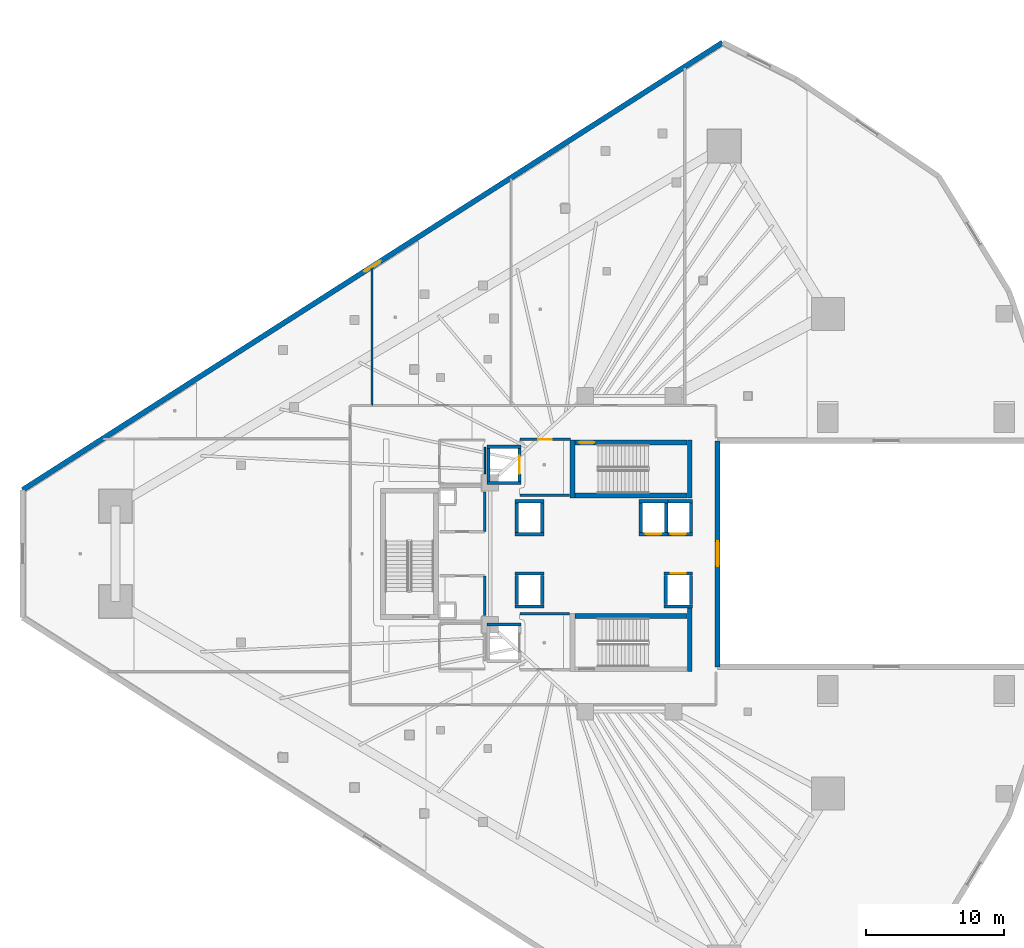
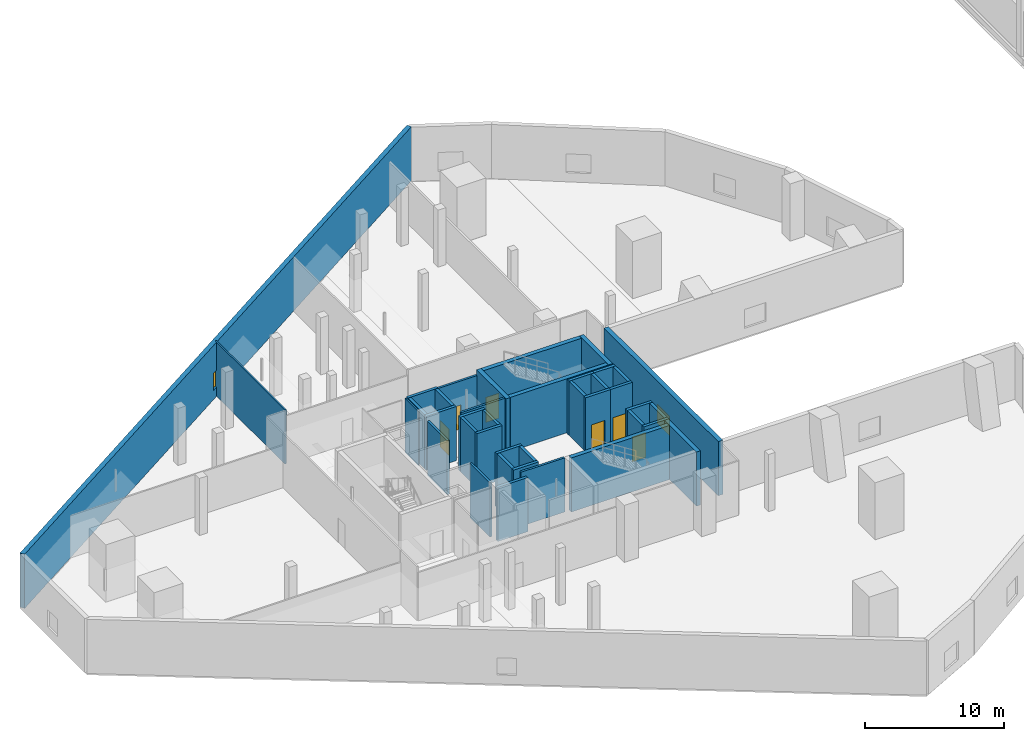
# One storey, part 28 of 46: 39 walls, 6 doors, 2 windows, 8 openings.
"""IFC4 building model written with IfcOpenShell, lengths in metres."""

from ifc_helpers import new_model, si_unit, direction, frame, frame_2d, origin, place, context, subcontext, project, spatial, rectangle, extrude, material, layer, layer_set, type_object, element, fill, save


model = new_model("IFC4")

# Units and contexts
model_context = context("Model", 3, precision=1e-05, world=origin(), true_north=direction((0.0, 1.0)))
body_context = subcontext(model_context, "Body", "Model", "MODEL_VIEW")
ifc_project = project(units=[si_unit("LENGTHUNIT", "METRE"), si_unit("AREAUNIT", "SQUARE_METRE"), si_unit("VOLUMEUNIT", "CUBIC_METRE"), si_unit("PLANEANGLEUNIT", "RADIAN"), si_unit("MASSUNIT", "GRAM", prefix="KILO")], contexts=[model_context])

# Site, building, storey
site_placement = place(None, origin())
site = spatial("IfcSite", under=ifc_project, at=site_placement, CompositionType="ELEMENT")
building_placement = place(site_placement, origin())
building = spatial("IfcBuilding", under=site, at=building_placement, Name="Qorvath Tower", CompositionType="ELEMENT")
storey_placement = place(building_placement, frame((0.0, 0.0, 17.0)))
storey = spatial("IfcBuildingStorey", under=building, at=storey_placement, Name="L03", CompositionType="ELEMENT", Elevation=17.0)

# Wall
ifc_material_1 = material(Name="Gypsum shaftliner on steel studs", Category="steel")
ifc_layer_1 = layer(ifc_material_1, 0.179931640625)
ifc_layer_set_1 = layer_set([ifc_layer_1], Name="FW-LOBBY")
wall_type_1 = type_object("IfcWallType", Name="FW-LOBBY", PredefinedType="PARTITIONING", material=ifc_layer_set_1)
wall_1_placement = place(storey_placement, frame((-28.35498046875, 4.25, 0.0), z_axis=(0.0, 0.0, 1.0), x_axis=(1.0, 0.0, 0.0)))
element("IfcWall", 1, at=wall_1_placement, inside=storey, type_object=wall_type_1, Name="Interior Partition IW-T1-L03-001", PredefinedType="PARTITIONING", context=body_context, shape_type="SweptSolid", body=[
    extrude(rectangle(XDim=3.6220703125, YDim=0.179931640625, at=frame_2d((1.81103515625, 0.0))), origin(), (0.0, 0.0, 1.0), 4.739990234375),
])

# Wall, opening, door
wall_2_placement = place(storey_placement, frame((-24.68408203125, 8.300048828125, 0.0), z_axis=(0.0, 0.0, 1.0), x_axis=(-1.0, 0.0, 0.0)))
wall_2 = element("IfcWall", 2, at=wall_2_placement, inside=storey, type_object=wall_type_1, Name="Interior Partition IW-T1-L03-002", PredefinedType="PARTITIONING", context=body_context, shape_type="SweptSolid", body=[
    extrude(rectangle(XDim=3.6708984375, YDim=0.179931640625, at=frame_2d((1.83544921875, 0.0))), origin(), (0.0, 0.0, 1.0), 4.2529296875),
])
opening_1_placement = place(wall_2_placement, frame((1.33544921875, 0.0, 0.0)))
opening_1 = element("IfcOpeningElement", 3, at=opening_1_placement, cuts=wall_2, Name="Opening D-T1-L03-11", PredefinedType="OPENING", context=body_context, shape_type="SweptSolid", body=[
    extrude(rectangle(XDim=1.0, YDim=2.14990234375, at=frame_2d((0.5, 1.074951171875))), frame((0.0, 0.10009765625, 0.0), z_axis=(0.0, -1.0, 0.0), x_axis=(1.0, 0.0, 0.0)), (0.0, 0.0, 1.0), 0.199951171875),
])
ifc_material_2 = material(Name="Painted galvanised hollow metal", Category="steel")
door_type_1 = type_object("IfcDoorType", Name="FD-60", OperationType="NOTDEFINED", PredefinedType="DOOR", material=ifc_material_2)
door_1_placement = place(opening_1_placement, origin())
door_1 = element("IfcDoor", 4, at=door_1_placement, inside=storey, type_object=door_type_1, Name="Lobby Fire Service Elevator North Door D-T1-L03-11", OperationType="SINGLE_SWING_RIGHT", OverallHeight=2.14990234375, OverallWidth=1.0, PredefinedType="DOOR", context=body_context, shape_type="SweptSolid", body=[
    extrude(rectangle(XDim=1.0, YDim=2.14990234375, at=frame_2d((0.5, 1.074951171875))), frame((0.0, 0.02490234375, 0.0), z_axis=(0.0, -1.0, 0.0), x_axis=(1.0, 0.0, 0.0)), (0.0, 0.0, 1.0), 0.050048828125),
])
fill(opening_1, door_1)

# Walls
wall_3_placement = place(storey_placement, frame((-24.73291015625, -4.35009765625, 0.0), z_axis=(0.0, 0.0, 1.0), x_axis=(-1.0, 0.0, 0.0)))
element("IfcWall", 5, at=wall_3_placement, inside=storey, type_object=wall_type_1, Name="Interior Partition IW-T1-L03-004", PredefinedType="PARTITIONING", context=body_context, shape_type="SweptSolid", body=[
    extrude(rectangle(XDim=3.6220703125, YDim=0.179931640625, at=frame_2d((1.81103515625, 0.0))), origin(), (0.0, 0.0, 1.0), 4.739990234375),
])
for number, where, z_axis, x_axis, name in (
    (6, (-30.8798828125, 1.625, 0.0), (0.0, 0.0, 1.0), (0.0, 1.0, 0.0), "Interior Partition IW-T1-L03-014"),
    (7, (-30.8798828125, -4.485107421875, 0.0), (0.0, 0.0, 1.0), (0.0, 1.0, 0.0), "Interior Partition IW-T1-L03-017"),
):
    element("IfcWall", number, at=place(storey_placement, frame(where, z_axis=z_axis, x_axis=x_axis)), inside=storey, type_object=wall_type_1, Name=name, PredefinedType="PARTITIONING", context=body_context, shape_type="SweptSolid", body=[
        extrude(rectangle(XDim=2.860107421875, YDim=0.179931640625, at=frame_2d((1.43017578125, 0.0))), origin(), (0.0, 0.0, 1.0), 4.739990234375),
    ])
ifc_material_3 = material(Name="Gypsum board on metal studs with mineral wool", Category="gypsum")
ifc_layer_2 = layer(ifc_material_3, 0.125)
ifc_layer_set_2 = layer_set([ifc_layer_2], Name="IW-PART-125")
wall_type_2 = type_object("IfcWallType", Name="IW-PART-125", PredefinedType="PARTITIONING", material=ifc_layer_set_2)
wall_4_placement = place(storey_placement, frame((-39.069091796875, 10.783203125, 0.0), z_axis=(0.0, 0.0, 1.0), x_axis=(0.0, 1.0, 0.0)))
element("IfcWall", 8, at=wall_4_placement, inside=storey, type_object=wall_type_2, Name="Interior Partition IW-T1-L03-021", PredefinedType="PARTITIONING", context=body_context, shape_type="SweptSolid", body=[
    extrude(rectangle(XDim=9.9755859375, YDim=0.125, at=frame_2d((4.98779296875, 0.0))), origin(), (0.0, 0.0, 1.0), 4.739990234375),
])
ifc_material_4 = material(Name="Moisture-resistant cement board on metal studs", Category="gypsum")
ifc_layer_3 = layer(ifc_material_4, 0.110107421875)
ifc_layer_set_3 = layer_set([ifc_layer_3], Name="IW-WC-110")
wall_type_3 = type_object("IfcWallType", Name="IW-WC-110", PredefinedType="PARTITIONING", material=ifc_layer_set_3)
wall_5_placement = place(storey_placement, frame((-30.8798828125, 5.81494140625, 0.0), z_axis=(0.0, 0.0, 1.0), x_axis=(0.0, 1.0, 0.0)))
element("IfcWall", 9, at=wall_5_placement, inside=storey, type_object=wall_type_3, Name="Interior Partition IW-T1-L03-007", PredefinedType="PARTITIONING", context=body_context, shape_type="SweptSolid", body=[
    extrude(rectangle(XDim=1.927978515625, YDim=0.110107421875, at=frame_2d((0.9638671875, 0.0))), origin(), (0.0, 0.0, 1.0), 4.739990234375),
])
ifc_material_5 = material(Name="Concrete C60/75", Category="concrete")
ifc_layer_4 = layer(ifc_material_5, 0.260009765625)
ifc_layer_set_4 = layer_set([ifc_layer_4], Name="SW-SHAFT")
wall_type_4 = type_object("IfcWallType", Name="SW-SHAFT", PredefinedType="SHEAR", material=ifc_layer_set_4)
for number, where, z_axis, x_axis, name in (
    (10, (-28.260009765625, 5.1298828125, 0.0), (0.0, 0.0, 1.0), (-1.0, 0.0, 0.0), "Hoistway Wall FSAE-1 L03 S"),
    (11, (-30.739990234375, 7.77001953125, 0.0), (0.0, 0.0, 1.0), (1.0, 0.0, 0.0), "Hoistway Wall FSAE-1 L03 N"),
):
    element("IfcWall", number, at=place(storey_placement, frame(where, z_axis=z_axis, x_axis=x_axis)), inside=storey, type_object=wall_type_4, Name=name, PredefinedType="SHEAR", context=body_context, shape_type="SweptSolid", body=[
        extrude(rectangle(XDim=2.47998046875, YDim=0.239990234375, at=frame_2d((1.239990234375, 0.0))), origin(), (0.0, 0.0, 1.0), 4.739990234375),
    ])
wall_6_placement = place(storey_placement, frame((-30.6201171875, 5.261962890625, 0.0), z_axis=(0.0, 0.0, 1.0), x_axis=(0.0, 1.0, 0.0)))
element("IfcWall", 12, at=wall_6_placement, inside=storey, type_object=wall_type_4, Name="Hoistway Wall FSAE-1 L03 W", PredefinedType="SHEAR", context=body_context, shape_type="SweptSolid", body=[
    extrude(rectangle(XDim=2.3759765625, YDim=0.239990234375, at=frame_2d((1.18798828125, 0.0))), origin(), (0.0, 0.0, 1.0), 4.739990234375),
])

# Wall, opening, door
wall_7_placement = place(storey_placement, frame((-28.3798828125, 7.637939453125, 0.0), z_axis=(0.0, 0.0, 1.0), x_axis=(0.0, -1.0, 0.0)))
wall_7 = element("IfcWall", 13, at=wall_7_placement, inside=storey, type_object=wall_type_4, Name="Hoistway Wall FSAE-1 L03 E", PredefinedType="SHEAR", context=body_context, shape_type="SweptSolid", body=[
    extrude(rectangle(XDim=2.3759765625, YDim=0.239990234375, at=frame_2d((1.18798828125, 0.0))), origin(), (0.0, 0.0, 1.0), 4.739990234375),
])
opening_2_placement = place(wall_7_placement, frame((0.537841796875, 0.0, 0.0)))
opening_2 = element("IfcOpeningElement", 14, at=opening_2_placement, cuts=wall_7, Name="Opening LD-FSAE-1-L03", PredefinedType="OPENING", context=body_context, shape_type="SweptSolid", body=[
    extrude(rectangle(XDim=1.300048828125, YDim=2.300048828125, at=frame_2d((0.64990234375, 1.14990234375))), frame((0.0, 0.1298828125, 0.0), z_axis=(0.0, -1.0, 0.0), x_axis=(1.0, 0.0, 0.0)), (0.0, 0.0, 1.0), 0.260009765625),
])
ifc_material_6 = material(Name="Brushed stainless steel AISI 316", Category="steel")
door_type_2 = type_object("IfcDoorType", Name="LD-02", OperationType="NOTDEFINED", PredefinedType="DOOR", material=ifc_material_6)
door_2_placement = place(opening_2_placement, origin())
door_2 = element("IfcDoor", 15, at=door_2_placement, inside=storey, type_object=door_type_2, Name="Elevator Landing Sliding Door LD-FSAE-1-L03", OperationType="DOUBLE_DOOR_SLIDING", OverallHeight=2.300048828125, OverallWidth=1.300048828125, PredefinedType="DOOR", context=body_context, shape_type="SweptSolid", body=[
    extrude(rectangle(XDim=1.300048828125, YDim=2.300048828125, at=frame_2d((0.64990234375, 1.14990234375))), frame((0.0, 0.02490234375, 0.0), z_axis=(0.0, -1.0, 0.0), x_axis=(1.0, 0.0, 0.0)), (0.0, 0.0, 1.0), 0.050048828125),
])
fill(opening_2, door_2)

# Walls
wall_8_placement = place(storey_placement, frame((-30.739990234375, -5.1298828125, 0.0), z_axis=(0.0, 0.0, 1.0), x_axis=(1.0, 0.0, 0.0)))
element("IfcWall", 16, at=wall_8_placement, inside=storey, type_object=wall_type_4, Name="Hoistway Wall FSAE-2 L03 N", PredefinedType="SHEAR", context=body_context, shape_type="SweptSolid", body=[
    extrude(rectangle(XDim=2.47998046875, YDim=0.239990234375, at=frame_2d((1.239990234375, 0.0))), origin(), (0.0, 0.0, 1.0), 4.739990234375),
])
for number, where, z_axis, x_axis, name in (
    (17, (-26.610107421875, 1.429931640625, 0.0), (0.0, 0.0, 1.0), (-1.0, 0.0, 0.0), "Hoistway Wall PS-1 L03 S"),
    (18, (-28.68994140625, 3.820068359375, 0.0), (0.0, 0.0, 1.0), (1.0, 0.0, 0.0), "Hoistway Wall PS-1 L03 N"),
):
    element("IfcWall", number, at=place(storey_placement, frame(where, z_axis=z_axis, x_axis=x_axis)), inside=storey, type_object=wall_type_4, Name=name, PredefinedType="SHEAR", context=body_context, shape_type="SweptSolid", body=[
        extrude(rectangle(XDim=2.079833984375, YDim=0.239990234375, at=frame_2d((1.0400390625, 0.0))), origin(), (0.0, 0.0, 1.0), 4.739990234375),
    ])
for number, where, z_axis, x_axis, name in (
    (19, (-28.570068359375, 1.56201171875, 0.0), (0.0, 0.0, 1.0), (0.0, 1.0, 0.0), "Hoistway Wall PS-1 L03 W"),
    (20, (-26.72998046875, 3.68798828125, 0.0), (0.0, 0.0, 1.0), (0.0, -1.0, 0.0), "Hoistway Wall PS-1 L03 E"),
):
    element("IfcWall", number, at=place(storey_placement, frame(where, z_axis=z_axis, x_axis=x_axis)), inside=storey, type_object=wall_type_4, Name=name, PredefinedType="SHEAR", context=body_context, shape_type="SweptSolid", body=[
        extrude(rectangle(XDim=2.1259765625, YDim=0.239990234375, at=frame_2d((1.06298828125, 0.0))), origin(), (0.0, 0.0, 1.0), 4.739990234375),
    ])

# Wall, opening, door
wall_9_placement = place(storey_placement, frame((-17.610107421875, 1.429931640625, 0.0), z_axis=(0.0, 0.0, 1.0), x_axis=(-1.0, 0.0, 0.0)))
wall_9 = element("IfcWall", 21, at=wall_9_placement, inside=storey, type_object=wall_type_4, Name="Hoistway Wall PL-1 L03 S", PredefinedType="SHEAR", context=body_context, shape_type="SweptSolid", body=[
    extrude(rectangle(XDim=2.079833984375, YDim=0.239990234375, at=frame_2d((1.0400390625, 0.0))), origin(), (0.0, 0.0, 1.0), 4.739990234375),
])
opening_3_placement = place(wall_9_placement, frame((0.48974609375, 0.0, 0.0)))
opening_3 = element("IfcOpeningElement", 22, at=opening_3_placement, cuts=wall_9, Name="Opening LD-PL-1-L03", PredefinedType="OPENING", context=body_context, shape_type="SweptSolid", body=[
    extrude(rectangle(XDim=1.10009765625, YDim=2.199951171875, at=frame_2d((0.550048828125, 1.10009765625))), frame((0.0, 0.1298828125, 0.0), z_axis=(0.0, -1.0, 0.0), x_axis=(1.0, 0.0, 0.0)), (0.0, 0.0, 1.0), 0.260009765625),
])
ifc_material_7 = material(Name="Brushed stainless steel AISI 316", Category="steel")
door_type_3 = type_object("IfcDoorType", Name="LD-01", OperationType="NOTDEFINED", PredefinedType="DOOR", material=ifc_material_7)
door_3_placement = place(opening_3_placement, origin())
door_3 = element("IfcDoor", 23, at=door_3_placement, inside=storey, type_object=door_type_3, Name="Elevator Landing Sliding Door LD-PL-1-L03", OperationType="DOUBLE_DOOR_SLIDING", OverallHeight=2.199951171875, OverallWidth=1.10009765625, PredefinedType="DOOR", context=body_context, shape_type="SweptSolid", body=[
    extrude(rectangle(XDim=1.10009765625, YDim=2.199951171875, at=frame_2d((0.550048828125, 1.10009765625))), frame((0.0, 0.02490234375, 0.0), z_axis=(0.0, -1.0, 0.0), x_axis=(1.0, 0.0, 0.0)), (0.0, 0.0, 1.0), 0.050048828125),
])
fill(opening_3, door_3)

# Walls
wall_10_placement = place(storey_placement, frame((-19.68994140625, 3.820068359375, 0.0), z_axis=(0.0, 0.0, 1.0), x_axis=(1.0, 0.0, 0.0)))
element("IfcWall", 24, at=wall_10_placement, inside=storey, type_object=wall_type_4, Name="Hoistway Wall PL-1 L03 N", PredefinedType="SHEAR", context=body_context, shape_type="SweptSolid", body=[
    extrude(rectangle(XDim=2.079833984375, YDim=0.239990234375, at=frame_2d((1.0400390625, 0.0))), origin(), (0.0, 0.0, 1.0), 4.739990234375),
])
for number, where, z_axis, x_axis, name in (
    (25, (-19.570068359375, 1.56201171875, 0.0), (0.0, 0.0, 1.0), (0.0, 1.0, 0.0), "Hoistway Wall PL-1 L03 W"),
    (26, (-17.72998046875, 3.68798828125, 0.0), (0.0, 0.0, 1.0), (0.0, -1.0, 0.0), "Hoistway Wall PL-1 L03 E"),
):
    element("IfcWall", number, at=place(storey_placement, frame(where, z_axis=z_axis, x_axis=x_axis)), inside=storey, type_object=wall_type_4, Name=name, PredefinedType="SHEAR", context=body_context, shape_type="SweptSolid", body=[
        extrude(rectangle(XDim=2.1259765625, YDim=0.239990234375, at=frame_2d((1.06298828125, 0.0))), origin(), (0.0, 0.0, 1.0), 4.739990234375),
    ])

# Wall, opening, door
wall_11_placement = place(storey_placement, frame((-15.81005859375, 1.429931640625, 0.0), z_axis=(0.0, 0.0, 1.0), x_axis=(-1.0, 0.0, 0.0)))
wall_11 = element("IfcWall", 27, at=wall_11_placement, inside=storey, type_object=wall_type_4, Name="Hoistway Wall PL-3 L03 S", PredefinedType="SHEAR", context=body_context, shape_type="SweptSolid", body=[
    extrude(rectangle(XDim=1.800048828125, YDim=0.239990234375, at=frame_2d((0.89990234375, 0.0))), origin(), (0.0, 0.0, 1.0), 4.739990234375),
])
opening_4_placement = place(wall_11_placement, frame((0.489990234375, 0.0, 0.0)))
opening_4 = element("IfcOpeningElement", 28, at=opening_4_placement, cuts=wall_11, Name="Opening LD-PL-3-L03", PredefinedType="OPENING", context=body_context, shape_type="SweptSolid", body=[
    extrude(rectangle(XDim=1.10009765625, YDim=2.199951171875, at=frame_2d((0.550048828125, 1.10009765625))), frame((0.0, 0.1298828125, 0.0), z_axis=(0.0, -1.0, 0.0), x_axis=(1.0, 0.0, 0.0)), (0.0, 0.0, 1.0), 0.260009765625),
])
door_4_placement = place(opening_4_placement, origin())
door_4 = element("IfcDoor", 29, at=door_4_placement, inside=storey, type_object=door_type_3, Name="Elevator Landing Sliding Door LD-PL-3-L03", OperationType="DOUBLE_DOOR_SLIDING", OverallHeight=2.199951171875, OverallWidth=1.10009765625, PredefinedType="DOOR", context=body_context, shape_type="SweptSolid", body=[
    extrude(rectangle(XDim=1.10009765625, YDim=2.199951171875, at=frame_2d((0.550048828125, 1.10009765625))), frame((0.0, 0.02490234375, 0.0), z_axis=(0.0, -1.0, 0.0), x_axis=(1.0, 0.0, 0.0)), (0.0, 0.0, 1.0), 0.050048828125),
])
fill(opening_4, door_4)

# Walls
wall_12_placement = place(storey_placement, frame((-17.610107421875, 3.820068359375, 0.0), z_axis=(0.0, 0.0, 1.0), x_axis=(1.0, 0.0, 0.0)))
element("IfcWall", 30, at=wall_12_placement, inside=storey, type_object=wall_type_4, Name="Hoistway Wall PL-3 L03 N", PredefinedType="SHEAR", context=body_context, shape_type="SweptSolid", body=[
    extrude(rectangle(XDim=1.800048828125, YDim=0.239990234375, at=frame_2d((0.89990234375, 0.0))), origin(), (0.0, 0.0, 1.0), 4.739990234375),
])
wall_13_placement = place(storey_placement, frame((-15.929931640625, 3.68798828125, 0.0), z_axis=(0.0, 0.0, 1.0), x_axis=(0.0, -1.0, 0.0)))
element("IfcWall", 31, at=wall_13_placement, inside=storey, type_object=wall_type_4, Name="Hoistway Wall PL-3 L03 E", PredefinedType="SHEAR", context=body_context, shape_type="SweptSolid", body=[
    extrude(rectangle(XDim=2.1259765625, YDim=0.239990234375, at=frame_2d((1.06298828125, 0.0))), origin(), (0.0, 0.0, 1.0), 4.739990234375),
])
for number, where, z_axis, x_axis, name in (
    (32, (-26.610107421875, -3.820068359375, 0.0), (0.0, 0.0, 1.0), (-1.0, 0.0, 0.0), "Hoistway Wall PS-2 L03 S"),
    (33, (-28.68994140625, -1.429931640625, 0.0), (0.0, 0.0, 1.0), (1.0, 0.0, 0.0), "Hoistway Wall PS-2 L03 N"),
):
    element("IfcWall", number, at=place(storey_placement, frame(where, z_axis=z_axis, x_axis=x_axis)), inside=storey, type_object=wall_type_4, Name=name, PredefinedType="SHEAR", context=body_context, shape_type="SweptSolid", body=[
        extrude(rectangle(XDim=2.079833984375, YDim=0.239990234375, at=frame_2d((1.0400390625, 0.0))), origin(), (0.0, 0.0, 1.0), 4.739990234375),
    ])
for number, where, z_axis, x_axis, name in (
    (34, (-28.570068359375, -3.68798828125, 0.0), (0.0, 0.0, 1.0), (0.0, 1.0, 0.0), "Hoistway Wall PS-2 L03 W"),
    (35, (-26.72998046875, -1.56201171875, 0.0), (0.0, 0.0, 1.0), (0.0, -1.0, 0.0), "Hoistway Wall PS-2 L03 E"),
):
    element("IfcWall", number, at=place(storey_placement, frame(where, z_axis=z_axis, x_axis=x_axis)), inside=storey, type_object=wall_type_4, Name=name, PredefinedType="SHEAR", context=body_context, shape_type="SweptSolid", body=[
        extrude(rectangle(XDim=2.1259765625, YDim=0.239990234375, at=frame_2d((1.06298828125, 0.0))), origin(), (0.0, 0.0, 1.0), 4.739990234375),
    ])
wall_14_placement = place(storey_placement, frame((-15.81005859375, -3.820068359375, 0.0), z_axis=(0.0, 0.0, 1.0), x_axis=(-1.0, 0.0, 0.0)))
element("IfcWall", 36, at=wall_14_placement, inside=storey, type_object=wall_type_4, Name="Hoistway Wall PL-2 L03 S", PredefinedType="SHEAR", context=body_context, shape_type="SweptSolid", body=[
    extrude(rectangle(XDim=2.079833984375, YDim=0.239990234375, at=frame_2d((1.0400390625, 0.0))), origin(), (0.0, 0.0, 1.0), 4.739990234375),
])

# Wall, opening, door
wall_15_placement = place(storey_placement, frame((-17.889892578125, -1.429931640625, 0.0), z_axis=(0.0, 0.0, 1.0), x_axis=(1.0, 0.0, 0.0)))
wall_15 = element("IfcWall", 37, at=wall_15_placement, inside=storey, type_object=wall_type_4, Name="Hoistway Wall PL-2 L03 N", PredefinedType="SHEAR", context=body_context, shape_type="SweptSolid", body=[
    extrude(rectangle(XDim=2.079833984375, YDim=0.239990234375, at=frame_2d((1.0400390625, 0.0))), origin(), (0.0, 0.0, 1.0), 4.739990234375),
])
opening_5_placement = place(wall_15_placement, frame((0.48974609375, 0.0, 0.0)))
opening_5 = element("IfcOpeningElement", 38, at=opening_5_placement, cuts=wall_15, Name="Opening LD-PL-2-L03", PredefinedType="OPENING", context=body_context, shape_type="SweptSolid", body=[
    extrude(rectangle(XDim=1.10009765625, YDim=2.199951171875, at=frame_2d((0.550048828125, 1.10009765625))), frame((0.0, 0.1298828125, 0.0), z_axis=(0.0, -1.0, 0.0), x_axis=(1.0, 0.0, 0.0)), (0.0, 0.0, 1.0), 0.260009765625),
])
door_5_placement = place(opening_5_placement, origin())
door_5 = element("IfcDoor", 39, at=door_5_placement, inside=storey, type_object=door_type_3, Name="Elevator Landing Sliding Door LD-PL-2-L03", OperationType="DOUBLE_DOOR_SLIDING", OverallHeight=2.199951171875, OverallWidth=1.10009765625, PredefinedType="DOOR", context=body_context, shape_type="SweptSolid", body=[
    extrude(rectangle(XDim=1.10009765625, YDim=2.199951171875, at=frame_2d((0.550048828125, 1.10009765625))), frame((0.0, 0.02490234375, 0.0), z_axis=(0.0, -1.0, 0.0), x_axis=(1.0, 0.0, 0.0)), (0.0, 0.0, 1.0), 0.050048828125),
])
fill(opening_5, door_5)

# Walls
for number, where, z_axis, x_axis, name in (
    (40, (-17.77001953125, -3.68798828125, 0.0), (0.0, 0.0, 1.0), (0.0, 1.0, 0.0), "Hoistway Wall PL-2 L03 W"),
    (41, (-15.929931640625, -1.56201171875, 0.0), (0.0, 0.0, 1.0), (0.0, -1.0, 0.0), "Hoistway Wall PL-2 L03 E"),
):
    element("IfcWall", number, at=place(storey_placement, frame(where, z_axis=z_axis, x_axis=x_axis)), inside=storey, type_object=wall_type_4, Name=name, PredefinedType="SHEAR", context=body_context, shape_type="SweptSolid", body=[
        extrude(rectangle(XDim=2.1259765625, YDim=0.239990234375, at=frame_2d((1.06298828125, 0.0))), origin(), (0.0, 0.0, 1.0), 4.739990234375),
    ])
ifc_material_8 = material(Name="Concrete C60/75", Category="concrete")
ifc_layer_5 = layer(ifc_material_8, 0.35009765625)
ifc_layer_set_5 = layer_set([ifc_layer_5], Name="SW-STAIR")
wall_type_5 = type_object("IfcWallType", Name="SW-STAIR", PredefinedType="SHEAR", material=ifc_layer_set_5)
for number, where, z_axis, x_axis, name in (
    (42, (-24.52490234375, 8.260009765625, 0.0), (0.0, 0.0, 1.0), (0.0, -1.0, 0.0), "Stair TS1 Shear Wall L03 NEAR"),
    (43, (-16.02490234375, 4.050048828125, 0.0), (0.0, 0.0, 1.0), (0.0, 1.0, 0.0), "Stair TS1 Shear Wall L03 FAR"),
):
    element("IfcWall", number, at=place(storey_placement, frame(where, z_axis=z_axis, x_axis=x_axis)), inside=storey, type_object=wall_type_5, Name=name, PredefinedType="SHEAR", context=body_context, shape_type="SweptSolid", body=[
        extrude(rectangle(XDim=4.2099609375, YDim=0.35009765625, at=frame_2d((2.10498046875, 0.0))), origin(), (0.0, 0.0, 1.0), 4.739990234375),
    ])
wall_16_placement = place(storey_placement, frame((-24.3349609375, 4.22509765625, 0.0), z_axis=(0.0, 0.0, 1.0), x_axis=(1.0, 0.0, 0.0)))
element("IfcWall", 44, at=wall_16_placement, inside=storey, type_object=wall_type_5, Name="Stair TS1 Shear Wall L03 LEFT", PredefinedType="SHEAR", context=body_context, shape_type="SweptSolid", body=[
    extrude(rectangle(XDim=8.119873046875, YDim=0.35009765625, at=frame_2d((4.06005859375, 0.0))), origin(), (0.0, 0.0, 1.0), 4.739990234375),
])

# Wall, opening, door
wall_17_placement = place(storey_placement, frame((-16.215087890625, 8.0849609375, 0.0), z_axis=(0.0, 0.0, 1.0), x_axis=(-1.0, 0.0, 0.0)))
wall_17 = element("IfcWall", 45, at=wall_17_placement, inside=storey, type_object=wall_type_5, Name="Stair TS1 Shear Wall L03 RIGHT", PredefinedType="SHEAR", context=body_context, shape_type="SweptSolid", body=[
    extrude(rectangle(XDim=8.119873046875, YDim=0.35009765625, at=frame_2d((4.06005859375, 0.0))), origin(), (0.0, 0.0, 1.0), 4.739990234375),
])
opening_6_placement = place(wall_17_placement, frame((6.739990234375, 0.0, 0.0)))
opening_6 = element("IfcOpeningElement", 46, at=opening_6_placement, cuts=wall_17, Name="Opening D-TS1-L03", PredefinedType="OPENING", context=body_context, shape_type="SweptSolid", body=[
    extrude(rectangle(XDim=1.10009765625, YDim=2.199951171875, at=frame_2d((0.550048828125, 1.10009765625))), frame((0.0, 0.18505859375, 0.0), z_axis=(0.0, -1.0, 0.0), x_axis=(1.0, 0.0, 0.0)), (0.0, 0.0, 1.0), 0.3701171875),
])
ifc_material_9 = material(Name="Painted galvanised hollow metal", Category="steel")
door_type_4 = type_object("IfcDoorType", Name="FD-90", OperationType="NOTDEFINED", PredefinedType="DOOR", material=ifc_material_9)
door_6_placement = place(opening_6_placement, origin())
door_6 = element("IfcDoor", 47, at=door_6_placement, inside=storey, type_object=door_type_4, Name="Stair TS1 Fire Door L03", OperationType="SINGLE_SWING_RIGHT", OverallHeight=2.199951171875, OverallWidth=1.10009765625, PredefinedType="DOOR", context=body_context, shape_type="SweptSolid", body=[
    extrude(rectangle(XDim=1.10009765625, YDim=2.199951171875, at=frame_2d((0.550048828125, 1.10009765625))), frame((0.0, 0.02490234375, 0.0), z_axis=(0.0, -1.0, 0.0), x_axis=(1.0, 0.0, 0.0)), (0.0, 0.0, 1.0), 0.050048828125),
])
fill(opening_6, door_6)

# Walls
wall_18_placement = place(storey_placement, frame((-16.02490234375, -8.550048828125, 0.0), z_axis=(0.0, 0.0, 1.0), x_axis=(0.0, 1.0, 0.0)))
element("IfcWall", 48, at=wall_18_placement, inside=storey, type_object=wall_type_5, Name="Stair TS2 Shear Wall L03 FAR", PredefinedType="SHEAR", context=body_context, shape_type="SweptSolid", body=[
    extrude(rectangle(XDim=4.610107421875, YDim=0.35009765625, at=frame_2d((2.30517578125, 0.0))), origin(), (0.0, 0.0, 1.0), 4.739990234375),
])
wall_19_placement = place(storey_placement, frame((-16.215087890625, -4.514892578125, 0.0), z_axis=(0.0, 0.0, 1.0), x_axis=(-1.0, 0.0, 0.0)))
element("IfcWall", 49, at=wall_19_placement, inside=storey, type_object=wall_type_5, Name="Stair TS2 Shear Wall L03 RIGHT", PredefinedType="SHEAR", context=body_context, shape_type="SweptSolid", body=[
    extrude(rectangle(XDim=8.119873046875, YDim=0.35009765625, at=frame_2d((4.06005859375, 0.0))), origin(), (0.0, 0.0, 1.0), 4.739990234375),
])

# Wall, opening, window
ifc_material_10 = material(Name="Precast concrete C50/60", Category="concrete")
ifc_layer_6 = layer(ifc_material_10, 0.3798828125)
ifc_layer_set_6 = layer_set([ifc_layer_6], Name="WL-EW-POD-380")
wall_type_6 = type_object("IfcWallType", Name="WL-EW-POD-380", PredefinedType="SOLIDWALL", material=ifc_layer_set_6)
wall_20_placement = place(storey_placement, frame((-14.0, 8.199951171875, 0.0), z_axis=(0.0, 0.0, 1.0), x_axis=(0.0, -1.0, 0.0)))
wall_20 = element("IfcWall", 50, at=wall_20_placement, inside=storey, type_object=wall_type_6, Name="Tower Podium Precast Facade Wall L03-2.1", PredefinedType="SOLIDWALL", context=body_context, shape_type="SweptSolid", body=[
    extrude(rectangle(XDim=16.39990234375, YDim=0.3798828125, at=frame_2d((8.199951171875, 0.0))), origin(), (0.0, 0.0, 1.0), 4.739990234375),
])
opening_7_placement = place(wall_20_placement, frame((7.300048828125, 0.0, 0.800048828125)))
opening_7 = element("IfcOpeningElement", 51, at=opening_7_placement, cuts=wall_20, Name="Opening WN-L03-030", PredefinedType="OPENING", context=body_context, shape_type="SweptSolid", body=[
    extrude(rectangle(XDim=1.800048828125, YDim=1.64990234375, at=frame_2d((0.89990234375, 0.824951171875))), frame((0.0, 0.199951171875, 0.0), z_axis=(0.0, -1.0, 0.0), x_axis=(1.0, 0.0, 0.0)), (0.0, 0.0, 1.0), 0.39990234375),
])
ifc_material_11 = material(Name="Thermally broken aluminium and triple low-E glass", Category="aluminium")
window_type_1 = type_object("IfcWindowType", Name="WN-1", PartitioningType="SINGLE_PANEL", PredefinedType="WINDOW", material=ifc_material_11)
window_1_placement = place(opening_7_placement, origin())
window_1 = element("IfcWindow", 52, at=window_1_placement, inside=storey, type_object=window_type_1, Name="Podium Punched Window L03-030", OverallHeight=1.64990234375, OverallWidth=1.800048828125, PartitioningType="SINGLE_PANEL", PredefinedType="WINDOW", context=body_context, shape_type="SweptSolid", body=[
    extrude(rectangle(XDim=1.800048828125, YDim=1.64990234375, at=frame_2d((0.89990234375, 0.824951171875))), frame((0.0, 0.030029296875, 0.0), z_axis=(0.0, -1.0, 0.0), x_axis=(1.0, 0.0, 0.0)), (0.0, 0.0, 1.0), 0.06005859375),
])
fill(opening_7, window_1)

wall_21_placement = place(storey_placement, frame((-64.419189453125, 4.63671875, 0.0), z_axis=(0.0, 0.0, 1.0), x_axis=(0.842602364841, 0.538536214905, 0.0)))
wall_21 = element("IfcWall", 53, at=wall_21_placement, inside=storey, type_object=wall_type_6, Name="Tower Podium Precast Facade Wall L03-9.1", PredefinedType="SOLIDWALL", context=body_context, shape_type="SweptSolid", body=[
    extrude(rectangle(XDim=60.270263671875, YDim=0.3798828125, at=frame_2d((30.13525390625, 0.0))), origin(), (0.0, 0.0, 1.0), 4.739990234375),
])
opening_8_placement = place(wall_21_placement, frame((29.43505859375, 0.0, 0.800048828125)))
opening_8 = element("IfcOpeningElement", 54, at=opening_8_placement, cuts=wall_21, Name="Opening WN-L03-036", PredefinedType="OPENING", context=body_context, shape_type="SweptSolid", body=[
    extrude(rectangle(XDim=1.39990234375, YDim=1.5, at=frame_2d((0.699951171875, 0.75))), frame((0.0, 0.199951171875, 0.0), z_axis=(0.0, -1.0, 0.0), x_axis=(1.0, 0.0, 0.0)), (0.0, 0.0, 1.0), 0.39990234375),
])
ifc_material_12 = material(Name="Thermally broken aluminium and triple low-E glass", Category="aluminium")
window_type_2 = type_object("IfcWindowType", Name="WN-3", PartitioningType="SINGLE_PANEL", PredefinedType="WINDOW", material=ifc_material_12)
window_2_placement = place(opening_8_placement, origin())
window_2 = element("IfcWindow", 55, at=window_2_placement, inside=storey, type_object=window_type_2, Name="Podium Punched Window L03-036", OverallHeight=1.5, OverallWidth=1.39990234375, PartitioningType="SINGLE_PANEL", PredefinedType="WINDOW", context=body_context, shape_type="SweptSolid", body=[
    extrude(rectangle(XDim=1.39990234375, YDim=1.5, at=frame_2d((0.699951171875, 0.75))), frame((0.0, 0.030029296875, 0.0), z_axis=(0.0, -1.0, 0.0), x_axis=(1.0, 0.0, 0.0)), (0.0, 0.0, 1.0), 0.06005859375),
])
fill(opening_8, window_2)

save(model, "model.ifc")
